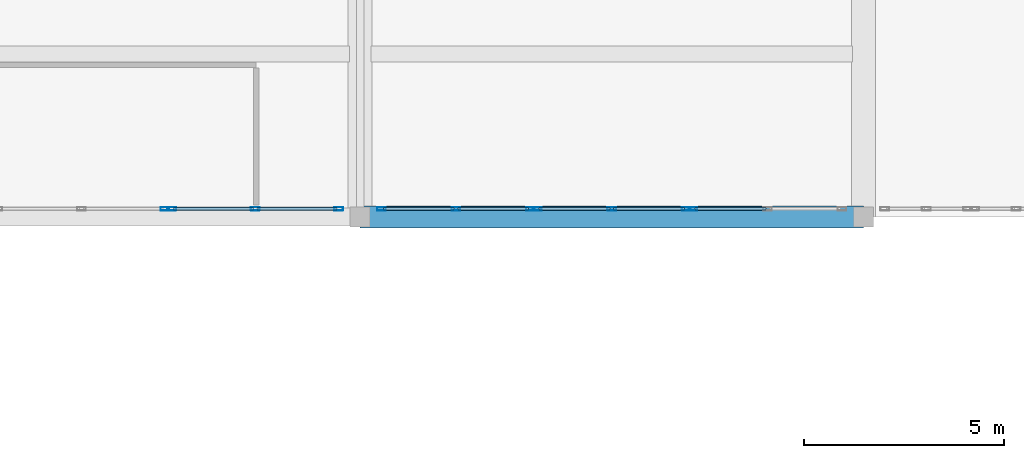
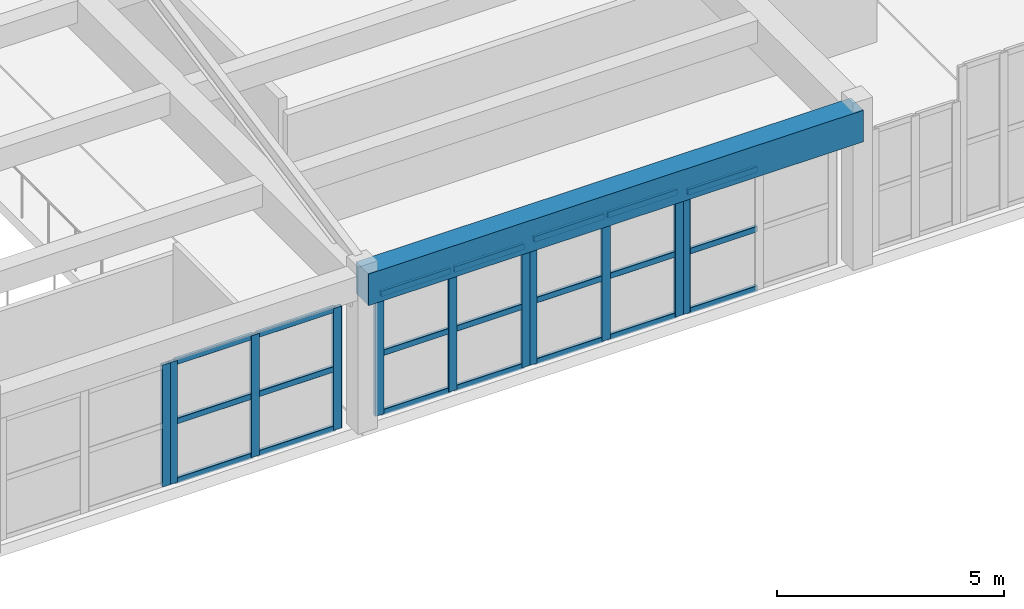
# One storey, part 30 of 91: 32 members, 1 beam, 5 elements without a shape of their own.
"""IFC4 building model written with IfcOpenShell, lengths in metres."""

from ifc_helpers import new_model, si_unit, direction, frame, origin, origin_2d, place, context, subcontext, project, spatial, rectangle, hollow_rectangle, extrude, material, layer, layer_set, material_profile, profile_set, type_object, element, aggregate, save


model = new_model("IFC4")

# Units and contexts
model_context = context("Model", 3, precision=1e-05, world=origin(), true_north=direction((0.0, 1.0)))
body_context = subcontext(model_context, "Body", "Model", "MODEL_VIEW")
ifc_project = project(units=[si_unit("LENGTHUNIT", "METRE"), si_unit("AREAUNIT", "SQUARE_METRE"), si_unit("VOLUMEUNIT", "CUBIC_METRE"), si_unit("PLANEANGLEUNIT", "RADIAN"), si_unit("MASSUNIT", "GRAM", prefix="KILO")], contexts=[model_context])

# Site, building, storey
site_placement = place(None, origin())
site = spatial("IfcSite", under=ifc_project, at=site_placement, CompositionType="ELEMENT")
building_placement = place(site_placement, origin())
building = spatial("IfcBuilding", under=site, at=building_placement, Name="Tarnavel Promenade Courthouse", CompositionType="ELEMENT")
storey_placement = place(building_placement, frame((0.0, 0.0, 9.89990234375)))
storey = spatial("IfcBuildingStorey", under=building, at=storey_placement, Name="L03", CompositionType="ELEMENT", Elevation=9.89990234375)

# Beam
ifc_material_1 = material(Name="Concrete C40/50", Category="concrete")
ifc_material_profile_1 = material_profile(ifc_material_1, rectangle(XDim=0.550048828125, YDim=0.85009765625, at=origin_2d()), Name="PT 550x850")
ifc_profile_set_1 = profile_set([ifc_material_profile_1], Name="Concrete C40/50")
beam_type = type_object("IfcBeamType", Name="Concrete C40/50 BM-PT-550x850 (PT 550x850)", PredefinedType="T_BEAM", material=ifc_profile_set_1)
beam_placement = place(storey_placement, frame((102.0, 46.800048828125, 3.820068359375), z_axis=(1.0, 0.0, 0.0), x_axis=(0.0, 1.0, 0.0)))
element("IfcBeam", 1, at=beam_placement, inside=storey, type_object=beam_type, Name="L03 Primary Longitudinal Beam 1576", PredefinedType="T_BEAM", context=body_context, shape_type="SweptSolid", body=[
    extrude(rectangle(XDim=0.550048828125, YDim=0.85009765625, at=origin_2d()), origin(), (0.0, 0.0, 1.0), 12.60009765625),
])

# Curtain wall, member
ifc_material_2 = material(Name="Thermally Broken Anodised Aluminium Curtain Wall System", Category="aluminium")
ifc_layer = layer(ifc_material_2, 0.239990234375)
ifc_layer_set = layer_set([ifc_layer], Name="Thermally Broken Anodised Aluminium Curtain Wall System")
curtain_wall_type = type_object("IfcCurtainWallType", Name="Thermally Broken Aluminium Triple-Glazed Curtain Wall CW-WG-S", PredefinedType="NOTDEFINED", material=ifc_layer_set)
curtain_wall_1_placement = place(storey_placement, origin())
curtain_wall_1 = element("IfcCurtainWall", 2, at=curtain_wall_1_placement, inside=storey, type_object=curtain_wall_type, Name="L03 Winter-Garden South Solar Curtain Wall 095", PredefinedType="NOTDEFINED")
ifc_material_3 = material(Name="Thermally Broken Anodised Aluminium Frame", Category="aluminium")
ifc_material_profile_2 = material_profile(ifc_material_3, hollow_rectangle(XDim=0.090087890625, YDim=0.219970703125, WallThickness=0.0048828125, InnerFilletRadius=0.0048828125, OuterFilletRadius=0.010009765625, at=origin_2d()), Name="CWM 220x90x5")
ifc_profile_set_2 = profile_set([ifc_material_profile_2], Name="Thermally Broken Anodised Aluminium Frame")
member_type_1 = type_object("IfcMemberType", Name="Thermally Broken Anodised Aluminium CWM-175 (CWM 220x90x5)", PredefinedType="MULLION", material=ifc_profile_set_2)
member_1_placement = place(storey_placement, frame((97.114990234375, 47.0, 0.0), z_axis=(0.0, 0.0, 1.0), x_axis=(0.0, 1.0, 0.0)))
member_1 = element("IfcMember", 3, at=member_1_placement, type_object=member_type_1, Name="CW-02 mullion 3", PredefinedType="MULLION", context=body_context, shape_type="SweptSolid", body=[
    extrude(hollow_rectangle(XDim=0.090087890625, YDim=0.219970703125, WallThickness=0.0048828125, InnerFilletRadius=0.0048828125, OuterFilletRadius=0.010009765625, at=origin_2d()), origin(), (0.0, 0.0, 1.0), 3.280029296875),
])
aggregate(curtain_wall_1, [member_1])

# Curtain wall, members
curtain_wall_2_placement = place(storey_placement, origin())
curtain_wall_2 = element("IfcCurtainWall", 4, at=curtain_wall_2_placement, inside=storey, type_object=curtain_wall_type, Name="L03 Winter-Garden South Solar Curtain Wall 096", PredefinedType="NOTDEFINED")
member_2_placement = place(storey_placement, frame((97.284912109375, 47.0, 0.0), z_axis=(0.0, 0.0, 1.0), x_axis=(0.0, 1.0, 0.0)))
member_2 = element("IfcMember", 5, at=member_2_placement, type_object=member_type_1, Name="CW-02 mullion 1", PredefinedType="MULLION", context=body_context, shape_type="SweptSolid", body=[
    extrude(hollow_rectangle(XDim=0.090087890625, YDim=0.219970703125, WallThickness=0.0048828125, InnerFilletRadius=0.0048828125, OuterFilletRadius=0.010009765625, at=origin_2d()), origin(), (0.0, 0.0, 1.0), 3.280029296875),
])
member_3_placement = place(storey_placement, frame((99.375, 47.0, 0.0), z_axis=(0.0, 0.0, 1.0), x_axis=(0.0, 1.0, 0.0)))
member_3 = element("IfcMember", 6, at=member_3_placement, type_object=member_type_1, Name="CW-02 mullion 2", PredefinedType="MULLION", context=body_context, shape_type="SweptSolid", body=[
    extrude(hollow_rectangle(XDim=0.090087890625, YDim=0.219970703125, WallThickness=0.0048828125, InnerFilletRadius=0.0048828125, OuterFilletRadius=0.010009765625, at=origin_2d()), origin(), (0.0, 0.0, 1.0), 3.280029296875),
])
member_4_placement = place(storey_placement, frame((101.465087890625, 47.0, 0.0), z_axis=(0.0, 0.0, 1.0), x_axis=(0.0, 1.0, 0.0)))
member_4 = element("IfcMember", 7, at=member_4_placement, type_object=member_type_1, Name="CW-02 mullion 3", PredefinedType="MULLION", context=body_context, shape_type="SweptSolid", body=[
    extrude(hollow_rectangle(XDim=0.090087890625, YDim=0.219970703125, WallThickness=0.0048828125, InnerFilletRadius=0.0048828125, OuterFilletRadius=0.010009765625, at=origin_2d()), origin(), (0.0, 0.0, 1.0), 3.280029296875),
])

curtain_wall_3_placement = place(storey_placement, origin())
curtain_wall_3 = element("IfcCurtainWall", 8, at=curtain_wall_3_placement, inside=storey, type_object=curtain_wall_type, Name="L03 Winter-Garden South Solar Curtain Wall 097", PredefinedType="NOTDEFINED")
member_5_placement = place(storey_placement, frame((102.534912109375, 47.0, 0.0), z_axis=(0.0, 0.0, 1.0), x_axis=(0.0, 1.0, 0.0)))
member_5 = element("IfcMember", 9, at=member_5_placement, type_object=member_type_1, Name="CW-02 mullion 1", PredefinedType="MULLION", context=body_context, shape_type="SweptSolid", body=[
    extrude(hollow_rectangle(XDim=0.090087890625, YDim=0.219970703125, WallThickness=0.0048828125, InnerFilletRadius=0.0048828125, OuterFilletRadius=0.010009765625, at=origin_2d()), origin(), (0.0, 0.0, 1.0), 3.280029296875),
])
member_6_placement = place(storey_placement, frame((104.39990234375, 47.0, 0.0), z_axis=(0.0, 0.0, 1.0), x_axis=(0.0, 1.0, 0.0)))
member_6 = element("IfcMember", 10, at=member_6_placement, type_object=member_type_1, Name="CW-02 mullion 2", PredefinedType="MULLION", context=body_context, shape_type="SweptSolid", body=[
    extrude(hollow_rectangle(XDim=0.090087890625, YDim=0.219970703125, WallThickness=0.0048828125, InnerFilletRadius=0.0048828125, OuterFilletRadius=0.010009765625, at=origin_2d()), origin(), (0.0, 0.0, 1.0), 3.280029296875),
])
member_7_placement = place(storey_placement, frame((106.264892578125, 47.0, 0.0), z_axis=(0.0, 0.0, 1.0), x_axis=(0.0, 1.0, 0.0)))
member_7 = element("IfcMember", 11, at=member_7_placement, type_object=member_type_1, Name="CW-02 mullion 3", PredefinedType="MULLION", context=body_context, shape_type="SweptSolid", body=[
    extrude(hollow_rectangle(XDim=0.090087890625, YDim=0.219970703125, WallThickness=0.0048828125, InnerFilletRadius=0.0048828125, OuterFilletRadius=0.010009765625, at=origin_2d()), origin(), (0.0, 0.0, 1.0), 3.280029296875),
])

curtain_wall_4_placement = place(storey_placement, origin())
curtain_wall_4 = element("IfcCurtainWall", 12, at=curtain_wall_4_placement, inside=storey, type_object=curtain_wall_type, Name="L03 Winter-Garden South Solar Curtain Wall 098", PredefinedType="NOTDEFINED")
member_8_placement = place(storey_placement, frame((106.43505859375, 47.0, 0.0), z_axis=(0.0, 0.0, 1.0), x_axis=(0.0, 1.0, 0.0)))
member_8 = element("IfcMember", 13, at=member_8_placement, type_object=member_type_1, Name="CW-02 mullion 1", PredefinedType="MULLION", context=body_context, shape_type="SweptSolid", body=[
    extrude(hollow_rectangle(XDim=0.090087890625, YDim=0.219970703125, WallThickness=0.0048828125, InnerFilletRadius=0.0048828125, OuterFilletRadius=0.010009765625, at=origin_2d()), origin(), (0.0, 0.0, 1.0), 3.380126953125),
])
member_9_placement = place(storey_placement, frame((108.300048828125, 47.0, 0.0), z_axis=(0.0, 0.0, 1.0), x_axis=(0.0, 1.0, 0.0)))
member_9 = element("IfcMember", 14, at=member_9_placement, type_object=member_type_1, Name="CW-02 mullion 2", PredefinedType="MULLION", context=body_context, shape_type="SweptSolid", body=[
    extrude(hollow_rectangle(XDim=0.090087890625, YDim=0.219970703125, WallThickness=0.0048828125, InnerFilletRadius=0.0048828125, OuterFilletRadius=0.010009765625, at=origin_2d()), origin(), (0.0, 0.0, 1.0), 3.380126953125),
])
member_10_placement = place(storey_placement, frame((110.1650390625, 47.0, 0.0), z_axis=(0.0, 0.0, 1.0), x_axis=(0.0, 1.0, 0.0)))
member_10 = element("IfcMember", 15, at=member_10_placement, type_object=member_type_1, Name="CW-02 mullion 3", PredefinedType="MULLION", context=body_context, shape_type="SweptSolid", body=[
    extrude(hollow_rectangle(XDim=0.090087890625, YDim=0.219970703125, WallThickness=0.0048828125, InnerFilletRadius=0.0048828125, OuterFilletRadius=0.010009765625, at=origin_2d()), origin(), (0.0, 0.0, 1.0), 3.380126953125),
])

# Curtain wall, member
curtain_wall_5_placement = place(storey_placement, origin())
curtain_wall_5 = element("IfcCurtainWall", 16, at=curtain_wall_5_placement, inside=storey, type_object=curtain_wall_type, Name="L03 Winter-Garden South Solar Curtain Wall 099", PredefinedType="NOTDEFINED")
member_11_placement = place(storey_placement, frame((110.3349609375, 47.0, 0.0), z_axis=(0.0, 0.0, 1.0), x_axis=(0.0, 1.0, 0.0)))
member_11 = element("IfcMember", 17, at=member_11_placement, type_object=member_type_1, Name="CW-02 mullion 1", PredefinedType="MULLION", context=body_context, shape_type="SweptSolid", body=[
    extrude(hollow_rectangle(XDim=0.090087890625, YDim=0.219970703125, WallThickness=0.0048828125, InnerFilletRadius=0.0048828125, OuterFilletRadius=0.010009765625, at=origin_2d()), origin(), (0.0, 0.0, 1.0), 3.280029296875),
])

# Member
ifc_material_profile_3 = material_profile(ifc_material_3, hollow_rectangle(XDim=0.080078125, YDim=0.159912109375, WallThickness=0.0048828125, InnerFilletRadius=0.0048828125, OuterFilletRadius=0.010009765625, at=origin_2d()), Name="CWT 160x80x5")
ifc_profile_set_3 = profile_set([ifc_material_profile_3], Name="Thermally Broken Anodised Aluminium Frame")
member_type_2 = type_object("IfcMemberType", Name="Thermally Broken Anodised Aluminium CWT-145 (CWT 160x80x5)", PredefinedType="USERDEFINED", material=ifc_profile_set_3)
member_12_placement = place(storey_placement, frame((97.330078125, 47.0, 0.0400390625), z_axis=(1.0, 0.0, 0.0), x_axis=(0.0, 1.0, 0.0)))
member_12 = element("IfcMember", 18, at=member_12_placement, type_object=member_type_2, Name="CW-02 transom 1.1", ObjectType="TRANSOM", PredefinedType="USERDEFINED", context=body_context, shape_type="SweptSolid", body=[
    extrude(hollow_rectangle(XDim=0.080078125, YDim=0.159912109375, WallThickness=0.0048828125, InnerFilletRadius=0.0048828125, OuterFilletRadius=0.010009765625, at=origin_2d()), origin(), (0.0, 0.0, 1.0), 2.0),
])

member_13_placement = place(storey_placement, frame((97.330078125, 47.0, 1.64013671875), z_axis=(1.0, 0.0, 0.0), x_axis=(0.0, 1.0, 0.0)))
member_13 = element("IfcMember", 19, at=member_13_placement, type_object=member_type_2, Name="CW-02 transom 1.2", ObjectType="TRANSOM", PredefinedType="USERDEFINED", context=body_context, shape_type="SweptSolid", body=[
    extrude(hollow_rectangle(XDim=0.080078125, YDim=0.159912109375, WallThickness=0.0048828125, InnerFilletRadius=0.0048828125, OuterFilletRadius=0.010009765625, at=origin_2d()), origin(), (0.0, 0.0, 1.0), 2.0),
])

member_14_placement = place(storey_placement, frame((97.330078125, 47.0, 3.239990234375), z_axis=(1.0, 0.0, 0.0), x_axis=(0.0, 1.0, 0.0)))
member_14 = element("IfcMember", 20, at=member_14_placement, type_object=member_type_2, Name="CW-02 transom 1.3", ObjectType="TRANSOM", PredefinedType="USERDEFINED", context=body_context, shape_type="SweptSolid", body=[
    extrude(hollow_rectangle(XDim=0.080078125, YDim=0.159912109375, WallThickness=0.0048828125, InnerFilletRadius=0.0048828125, OuterFilletRadius=0.010009765625, at=origin_2d()), origin(), (0.0, 0.0, 1.0), 2.0),
])

member_15_placement = place(storey_placement, frame((99.419921875, 47.0, 0.0400390625), z_axis=(1.0, 0.0, 0.0), x_axis=(0.0, 1.0, 0.0)))
member_15 = element("IfcMember", 21, at=member_15_placement, type_object=member_type_2, Name="CW-02 transom 2.1", ObjectType="TRANSOM", PredefinedType="USERDEFINED", context=body_context, shape_type="SweptSolid", body=[
    extrude(hollow_rectangle(XDim=0.080078125, YDim=0.159912109375, WallThickness=0.0048828125, InnerFilletRadius=0.0048828125, OuterFilletRadius=0.010009765625, at=origin_2d()), origin(), (0.0, 0.0, 1.0), 2.0),
])

member_16_placement = place(storey_placement, frame((99.419921875, 47.0, 1.64013671875), z_axis=(1.0, 0.0, 0.0), x_axis=(0.0, 1.0, 0.0)))
member_16 = element("IfcMember", 22, at=member_16_placement, type_object=member_type_2, Name="CW-02 transom 2.2", ObjectType="TRANSOM", PredefinedType="USERDEFINED", context=body_context, shape_type="SweptSolid", body=[
    extrude(hollow_rectangle(XDim=0.080078125, YDim=0.159912109375, WallThickness=0.0048828125, InnerFilletRadius=0.0048828125, OuterFilletRadius=0.010009765625, at=origin_2d()), origin(), (0.0, 0.0, 1.0), 2.0),
])

member_17_placement = place(storey_placement, frame((99.419921875, 47.0, 3.239990234375), z_axis=(1.0, 0.0, 0.0), x_axis=(0.0, 1.0, 0.0)))
member_17 = element("IfcMember", 23, at=member_17_placement, type_object=member_type_2, Name="CW-02 transom 2.3", ObjectType="TRANSOM", PredefinedType="USERDEFINED", context=body_context, shape_type="SweptSolid", body=[
    extrude(hollow_rectangle(XDim=0.080078125, YDim=0.159912109375, WallThickness=0.0048828125, InnerFilletRadius=0.0048828125, OuterFilletRadius=0.010009765625, at=origin_2d()), origin(), (0.0, 0.0, 1.0), 2.0),
])

aggregate(curtain_wall_2, [member_2, member_3, member_4, member_12, member_13, member_14, member_15, member_16, member_17])

member_18_placement = place(storey_placement, frame((102.580078125, 47.0, 0.0400390625), z_axis=(1.0, 0.0, 0.0), x_axis=(0.0, 1.0, 0.0)))
member_18 = element("IfcMember", 24, at=member_18_placement, type_object=member_type_2, Name="CW-02 transom 1.1", ObjectType="TRANSOM", PredefinedType="USERDEFINED", context=body_context, shape_type="SweptSolid", body=[
    extrude(hollow_rectangle(XDim=0.080078125, YDim=0.159912109375, WallThickness=0.0048828125, InnerFilletRadius=0.0048828125, OuterFilletRadius=0.010009765625, at=origin_2d()), origin(), (0.0, 0.0, 1.0), 1.77490234375),
])

member_19_placement = place(storey_placement, frame((102.580078125, 47.0, 1.64013671875), z_axis=(1.0, 0.0, 0.0), x_axis=(0.0, 1.0, 0.0)))
member_19 = element("IfcMember", 25, at=member_19_placement, type_object=member_type_2, Name="CW-02 transom 1.2", ObjectType="TRANSOM", PredefinedType="USERDEFINED", context=body_context, shape_type="SweptSolid", body=[
    extrude(hollow_rectangle(XDim=0.080078125, YDim=0.159912109375, WallThickness=0.0048828125, InnerFilletRadius=0.0048828125, OuterFilletRadius=0.010009765625, at=origin_2d()), origin(), (0.0, 0.0, 1.0), 1.77490234375),
])

member_20_placement = place(storey_placement, frame((102.580078125, 47.0, 3.239990234375), z_axis=(1.0, 0.0, 0.0), x_axis=(0.0, 1.0, 0.0)))
member_20 = element("IfcMember", 26, at=member_20_placement, type_object=member_type_2, Name="CW-02 transom 1.3", ObjectType="TRANSOM", PredefinedType="USERDEFINED", context=body_context, shape_type="SweptSolid", body=[
    extrude(hollow_rectangle(XDim=0.080078125, YDim=0.159912109375, WallThickness=0.0048828125, InnerFilletRadius=0.0048828125, OuterFilletRadius=0.010009765625, at=origin_2d()), origin(), (0.0, 0.0, 1.0), 1.77490234375),
])

member_21_placement = place(storey_placement, frame((104.445068359375, 47.0, 0.0400390625), z_axis=(1.0, 0.0, 0.0), x_axis=(0.0, 1.0, 0.0)))
member_21 = element("IfcMember", 27, at=member_21_placement, type_object=member_type_2, Name="CW-02 transom 2.1", ObjectType="TRANSOM", PredefinedType="USERDEFINED", context=body_context, shape_type="SweptSolid", body=[
    extrude(hollow_rectangle(XDim=0.080078125, YDim=0.159912109375, WallThickness=0.0048828125, InnerFilletRadius=0.0048828125, OuterFilletRadius=0.010009765625, at=origin_2d()), origin(), (0.0, 0.0, 1.0), 1.77490234375),
])

member_22_placement = place(storey_placement, frame((104.445068359375, 47.0, 1.64013671875), z_axis=(1.0, 0.0, 0.0), x_axis=(0.0, 1.0, 0.0)))
member_22 = element("IfcMember", 28, at=member_22_placement, type_object=member_type_2, Name="CW-02 transom 2.2", ObjectType="TRANSOM", PredefinedType="USERDEFINED", context=body_context, shape_type="SweptSolid", body=[
    extrude(hollow_rectangle(XDim=0.080078125, YDim=0.159912109375, WallThickness=0.0048828125, InnerFilletRadius=0.0048828125, OuterFilletRadius=0.010009765625, at=origin_2d()), origin(), (0.0, 0.0, 1.0), 1.77490234375),
])

member_23_placement = place(storey_placement, frame((104.445068359375, 47.0, 3.239990234375), z_axis=(1.0, 0.0, 0.0), x_axis=(0.0, 1.0, 0.0)))
member_23 = element("IfcMember", 29, at=member_23_placement, type_object=member_type_2, Name="CW-02 transom 2.3", ObjectType="TRANSOM", PredefinedType="USERDEFINED", context=body_context, shape_type="SweptSolid", body=[
    extrude(hollow_rectangle(XDim=0.080078125, YDim=0.159912109375, WallThickness=0.0048828125, InnerFilletRadius=0.0048828125, OuterFilletRadius=0.010009765625, at=origin_2d()), origin(), (0.0, 0.0, 1.0), 1.77490234375),
])

aggregate(curtain_wall_3, [member_5, member_6, member_7, member_18, member_19, member_20, member_21, member_22, member_23])

member_24_placement = place(storey_placement, frame((106.47998046875, 47.0, 0.0400390625), z_axis=(1.0, 0.0, 0.0), x_axis=(0.0, 1.0, 0.0)))
member_24 = element("IfcMember", 30, at=member_24_placement, type_object=member_type_2, Name="CW-02 transom 1.1", ObjectType="TRANSOM", PredefinedType="USERDEFINED", context=body_context, shape_type="SweptSolid", body=[
    extrude(hollow_rectangle(XDim=0.080078125, YDim=0.159912109375, WallThickness=0.0048828125, InnerFilletRadius=0.0048828125, OuterFilletRadius=0.010009765625, at=origin_2d()), origin(), (0.0, 0.0, 1.0), 1.77490234375),
])

member_25_placement = place(storey_placement, frame((106.47998046875, 47.0, 1.690185546875), z_axis=(1.0, 0.0, 0.0), x_axis=(0.0, 1.0, 0.0)))
member_25 = element("IfcMember", 31, at=member_25_placement, type_object=member_type_2, Name="CW-02 transom 1.2", ObjectType="TRANSOM", PredefinedType="USERDEFINED", context=body_context, shape_type="SweptSolid", body=[
    extrude(hollow_rectangle(XDim=0.080078125, YDim=0.159912109375, WallThickness=0.0048828125, InnerFilletRadius=0.0048828125, OuterFilletRadius=0.010009765625, at=origin_2d()), origin(), (0.0, 0.0, 1.0), 1.77490234375),
])

member_26_placement = place(storey_placement, frame((106.47998046875, 47.0, 3.340087890625), z_axis=(1.0, 0.0, 0.0), x_axis=(0.0, 1.0, 0.0)))
member_26 = element("IfcMember", 32, at=member_26_placement, type_object=member_type_2, Name="CW-02 transom 1.3", ObjectType="TRANSOM", PredefinedType="USERDEFINED", context=body_context, shape_type="SweptSolid", body=[
    extrude(hollow_rectangle(XDim=0.080078125, YDim=0.159912109375, WallThickness=0.0048828125, InnerFilletRadius=0.0048828125, OuterFilletRadius=0.010009765625, at=origin_2d()), origin(), (0.0, 0.0, 1.0), 1.77490234375),
])

member_27_placement = place(storey_placement, frame((108.344970703125, 47.0, 0.0400390625), z_axis=(1.0, 0.0, 0.0), x_axis=(0.0, 1.0, 0.0)))
member_27 = element("IfcMember", 33, at=member_27_placement, type_object=member_type_2, Name="CW-02 transom 2.1", ObjectType="TRANSOM", PredefinedType="USERDEFINED", context=body_context, shape_type="SweptSolid", body=[
    extrude(hollow_rectangle(XDim=0.080078125, YDim=0.159912109375, WallThickness=0.0048828125, InnerFilletRadius=0.0048828125, OuterFilletRadius=0.010009765625, at=origin_2d()), origin(), (0.0, 0.0, 1.0), 1.775146484375),
])

member_28_placement = place(storey_placement, frame((108.344970703125, 47.0, 1.690185546875), z_axis=(1.0, 0.0, 0.0), x_axis=(0.0, 1.0, 0.0)))
member_28 = element("IfcMember", 34, at=member_28_placement, type_object=member_type_2, Name="CW-02 transom 2.2", ObjectType="TRANSOM", PredefinedType="USERDEFINED", context=body_context, shape_type="SweptSolid", body=[
    extrude(hollow_rectangle(XDim=0.080078125, YDim=0.159912109375, WallThickness=0.0048828125, InnerFilletRadius=0.0048828125, OuterFilletRadius=0.010009765625, at=origin_2d()), origin(), (0.0, 0.0, 1.0), 1.775146484375),
])

member_29_placement = place(storey_placement, frame((108.344970703125, 47.0, 3.340087890625), z_axis=(1.0, 0.0, 0.0), x_axis=(0.0, 1.0, 0.0)))
member_29 = element("IfcMember", 35, at=member_29_placement, type_object=member_type_2, Name="CW-02 transom 2.3", ObjectType="TRANSOM", PredefinedType="USERDEFINED", context=body_context, shape_type="SweptSolid", body=[
    extrude(hollow_rectangle(XDim=0.080078125, YDim=0.159912109375, WallThickness=0.0048828125, InnerFilletRadius=0.0048828125, OuterFilletRadius=0.010009765625, at=origin_2d()), origin(), (0.0, 0.0, 1.0), 1.775146484375),
])

aggregate(curtain_wall_4, [member_8, member_9, member_10, member_24, member_25, member_26, member_27, member_28, member_29])

member_30_placement = place(storey_placement, frame((110.3798828125, 47.0, 0.0400390625), z_axis=(1.0, 0.0, 0.0), x_axis=(0.0, 1.0, 0.0)))
member_30 = element("IfcMember", 36, at=member_30_placement, type_object=member_type_2, Name="CW-02 transom 1.1", ObjectType="TRANSOM", PredefinedType="USERDEFINED", context=body_context, shape_type="SweptSolid", body=[
    extrude(hollow_rectangle(XDim=0.080078125, YDim=0.159912109375, WallThickness=0.0048828125, InnerFilletRadius=0.0048828125, OuterFilletRadius=0.010009765625, at=origin_2d()), origin(), (0.0, 0.0, 1.0), 1.775146484375),
])

member_31_placement = place(storey_placement, frame((110.3798828125, 47.0, 1.64013671875), z_axis=(1.0, 0.0, 0.0), x_axis=(0.0, 1.0, 0.0)))
member_31 = element("IfcMember", 37, at=member_31_placement, type_object=member_type_2, Name="CW-02 transom 1.2", ObjectType="TRANSOM", PredefinedType="USERDEFINED", context=body_context, shape_type="SweptSolid", body=[
    extrude(hollow_rectangle(XDim=0.080078125, YDim=0.159912109375, WallThickness=0.0048828125, InnerFilletRadius=0.0048828125, OuterFilletRadius=0.010009765625, at=origin_2d()), origin(), (0.0, 0.0, 1.0), 1.775146484375),
])

member_32_placement = place(storey_placement, frame((110.3798828125, 47.0, 3.239990234375), z_axis=(1.0, 0.0, 0.0), x_axis=(0.0, 1.0, 0.0)))
member_32 = element("IfcMember", 38, at=member_32_placement, type_object=member_type_2, Name="CW-02 transom 1.3", ObjectType="TRANSOM", PredefinedType="USERDEFINED", context=body_context, shape_type="SweptSolid", body=[
    extrude(hollow_rectangle(XDim=0.080078125, YDim=0.159912109375, WallThickness=0.0048828125, InnerFilletRadius=0.0048828125, OuterFilletRadius=0.010009765625, at=origin_2d()), origin(), (0.0, 0.0, 1.0), 1.775146484375),
])

aggregate(curtain_wall_5, [member_11, member_30, member_31, member_32])

save(model, "model.ifc")
